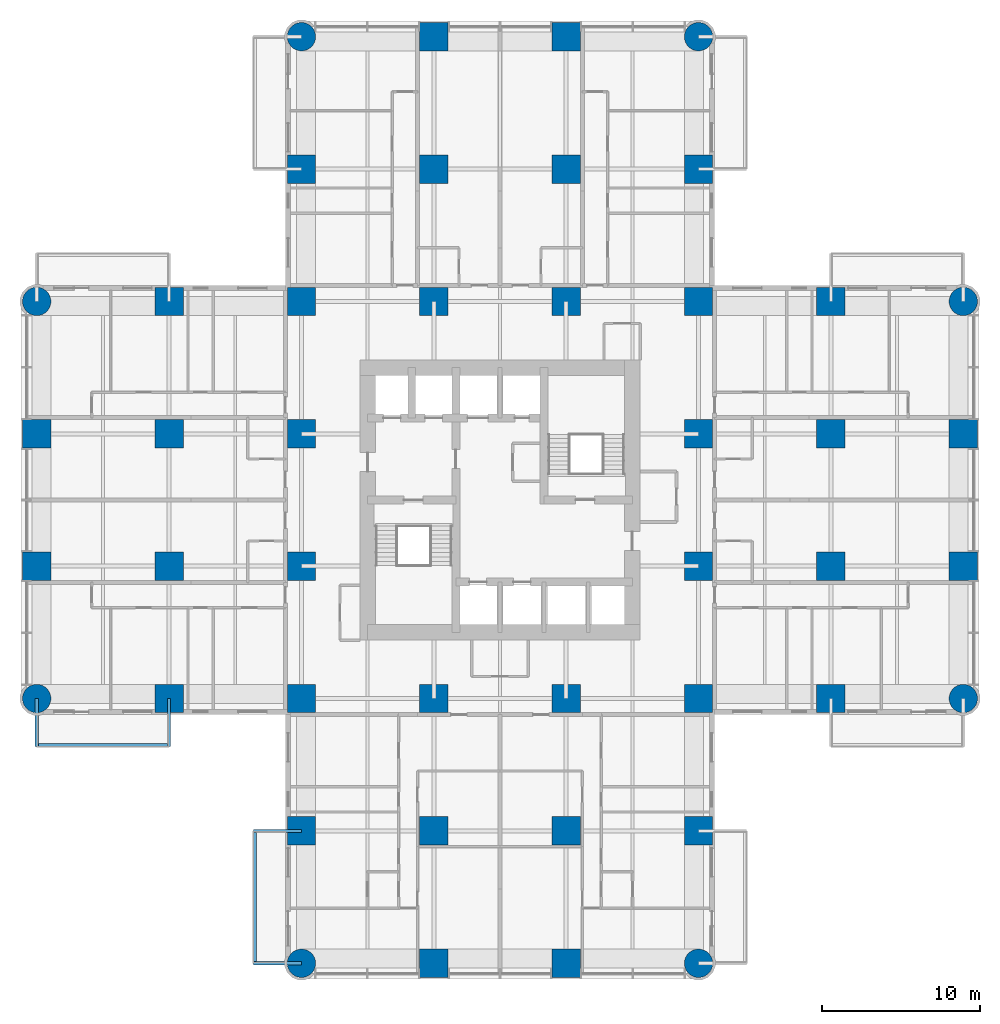
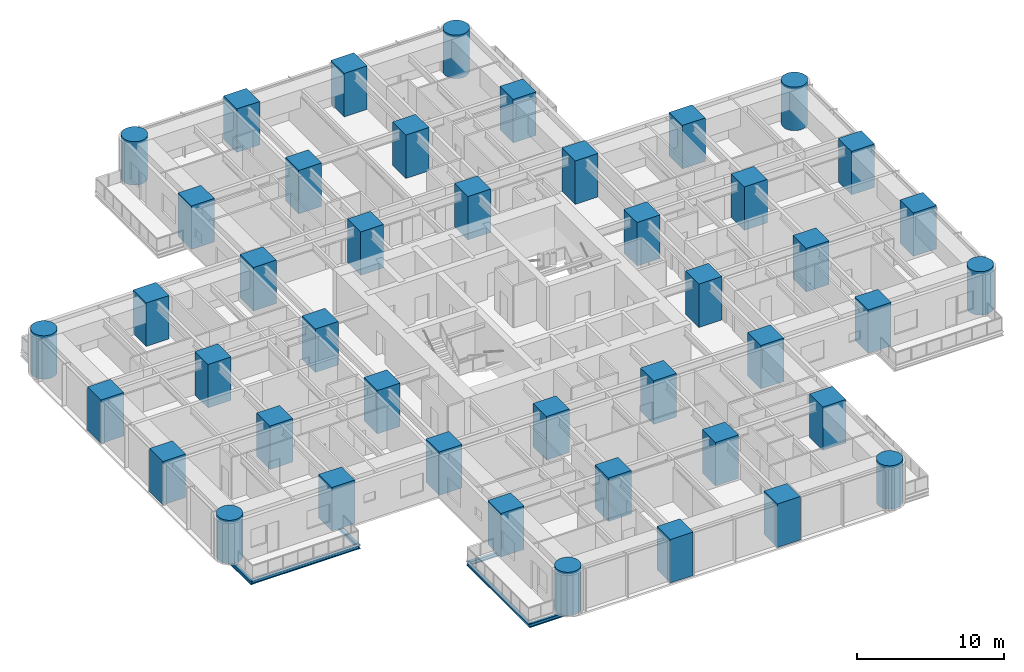
# One storey, part 1 of 17: 44 columns, 6 beams.
"""IFC4 building model written with IfcOpenShell, lengths in metres."""

from ifc_helpers import new_model, si_unit, direction, frame, origin, origin_2d, place, context, subcontext, project, spatial, rectangle, circle, i_section, extrude, material, material_profile, profile_set, type_object, element, save


model = new_model("IFC4")

# Units and contexts
model_context = context("Model", 3, precision=1e-05, world=origin(), true_north=direction((0.0, 1.0)))
body_context = subcontext(model_context, "Body", "Model", "MODEL_VIEW")
ifc_project = project(units=[si_unit("LENGTHUNIT", "METRE"), si_unit("AREAUNIT", "SQUARE_METRE"), si_unit("VOLUMEUNIT", "CUBIC_METRE"), si_unit("PLANEANGLEUNIT", "RADIAN"), si_unit("MASSUNIT", "GRAM", prefix="KILO")], contexts=[model_context])

# Site, building, storey
site_placement = place(None, origin())
site = spatial("IfcSite", under=ifc_project, at=site_placement, CompositionType="ELEMENT")
building_placement = place(site_placement, origin())
building = spatial("IfcBuilding", under=site, at=building_placement, Name="Torre Alcanfor", CompositionType="ELEMENT")
storey_placement = place(building_placement, frame((0.0, 0.0, 88.5)))
storey = spatial("IfcBuildingStorey", under=building, at=storey_placement, Name="L22", CompositionType="ELEMENT", Elevation=88.5)

# Columns
ifc_material_1 = material(Name="Concrete f'c 70 MPa", Category="concrete")
ifc_material_profile_1 = material_profile(ifc_material_1, rectangle(XDim=1.800048828125, YDim=1.800048828125, at=origin_2d()), Name="1800x1800")
ifc_profile_set_1 = profile_set([ifc_material_profile_1], Name="Concrete f'c 70 MPa")
column_type_1 = type_object("IfcColumnType", Name="RC column 1800x1800 f'c70", PredefinedType="COLUMN", material=ifc_profile_set_1)
for number, where, z_axis, x_axis, name in (
    (1, (0.0, 25.199951171875, 0.0), (0.0, 0.0, 1.0), (1.0, 0.0, 0.0), "Column 1/F L22"),
    (2, (0.0, 33.60009765625, 0.0), (0.0, 0.0, 1.0), (1.0, 0.0, 0.0), "Column 1/G L22"),
    (3, (8.39990234375, 16.800048828125, 0.0), (0.0, 0.0, 1.0), (1.0, 0.0, 0.0), "Column 2/E L22"),
    (4, (8.39990234375, 25.199951171875, 0.0), (0.0, 0.0, 1.0), (1.0, 0.0, 0.0), "Column 2/F L22"),
    (5, (8.39990234375, 33.60009765625, 0.0), (0.0, 0.0, 1.0), (1.0, 0.0, 0.0), "Column 2/G L22"),
    (6, (8.39990234375, 42.0, 0.0), (0.0, 0.0, 1.0), (1.0, 0.0, 0.0), "Column 2/H L22"),
    (7, (16.800048828125, 8.39990234375, 0.0), (0.0, 0.0, 1.0), (1.0, 0.0, 0.0), "Column 3/D L22"),
    (8, (16.800048828125, 16.800048828125, 0.0), (0.0, 0.0, 1.0), (1.0, 0.0, 0.0), "Column 3/E L22"),
    (9, (16.800048828125, 25.199951171875, 0.0), (0.0, 0.0, 1.0), (1.0, 0.0, 0.0), "Column 3/F L22"),
    (10, (16.800048828125, 33.60009765625, 0.0), (0.0, 0.0, 1.0), (1.0, 0.0, 0.0), "Column 3/G L22"),
    (11, (16.800048828125, 42.0, 0.0), (0.0, 0.0, 1.0), (1.0, 0.0, 0.0), "Column 3/H L22"),
    (12, (16.800048828125, 50.39990234375, 0.0), (0.0, 0.0, 1.0), (1.0, 0.0, 0.0), "Column 3/J L22"),
    (13, (25.199951171875, 0.0, 0.0), (0.0, 0.0, 1.0), (1.0, 0.0, 0.0), "Column 4/C L22"),
    (14, (25.199951171875, 8.39990234375, 0.0), (0.0, 0.0, 1.0), (1.0, 0.0, 0.0), "Column 4/D L22"),
    (15, (25.199951171875, 16.800048828125, 0.0), (0.0, 0.0, 1.0), (1.0, 0.0, 0.0), "Column 4/E L22"),
    (16, (25.199951171875, 42.0, 0.0), (0.0, 0.0, 1.0), (1.0, 0.0, 0.0), "Column 4/H L22"),
    (17, (25.199951171875, 50.39990234375, 0.0), (0.0, 0.0, 1.0), (1.0, 0.0, 0.0), "Column 4/J L22"),
    (18, (25.199951171875, 58.800048828125, 0.0), (0.0, 0.0, 1.0), (1.0, 0.0, 0.0), "Column 4/K L22"),
    (19, (33.60009765625, 0.0, 0.0), (0.0, 0.0, 1.0), (1.0, 0.0, 0.0), "Column 5/C L22"),
    (20, (33.60009765625, 8.39990234375, 0.0), (0.0, 0.0, 1.0), (1.0, 0.0, 0.0), "Column 5/D L22"),
    (21, (33.60009765625, 16.800048828125, 0.0), (0.0, 0.0, 1.0), (1.0, 0.0, 0.0), "Column 5/E L22"),
    (22, (33.60009765625, 42.0, 0.0), (0.0, 0.0, 1.0), (1.0, 0.0, 0.0), "Column 5/H L22"),
    (23, (33.60009765625, 50.39990234375, 0.0), (0.0, 0.0, 1.0), (1.0, 0.0, 0.0), "Column 5/J L22"),
    (24, (33.60009765625, 58.800048828125, 0.0), (0.0, 0.0, 1.0), (1.0, 0.0, 0.0), "Column 5/K L22"),
    (25, (42.0, 8.39990234375, 0.0), (0.0, 0.0, 1.0), (1.0, 0.0, 0.0), "Column 6/D L22"),
    (26, (42.0, 16.800048828125, 0.0), (0.0, 0.0, 1.0), (1.0, 0.0, 0.0), "Column 6/E L22"),
    (27, (42.0, 25.199951171875, 0.0), (0.0, 0.0, 1.0), (1.0, 0.0, 0.0), "Column 6/F L22"),
    (28, (42.0, 33.60009765625, 0.0), (0.0, 0.0, 1.0), (1.0, 0.0, 0.0), "Column 6/G L22"),
    (29, (42.0, 42.0, 0.0), (0.0, 0.0, 1.0), (1.0, 0.0, 0.0), "Column 6/H L22"),
    (30, (42.0, 50.39990234375, 0.0), (0.0, 0.0, 1.0), (1.0, 0.0, 0.0), "Column 6/J L22"),
    (31, (50.39990234375, 16.800048828125, 0.0), (0.0, 0.0, 1.0), (1.0, 0.0, 0.0), "Column 7/E L22"),
    (32, (50.39990234375, 25.199951171875, 0.0), (0.0, 0.0, 1.0), (1.0, 0.0, 0.0), "Column 7/F L22"),
    (33, (50.39990234375, 33.60009765625, 0.0), (0.0, 0.0, 1.0), (1.0, 0.0, 0.0), "Column 7/G L22"),
    (34, (50.39990234375, 42.0, 0.0), (0.0, 0.0, 1.0), (1.0, 0.0, 0.0), "Column 7/H L22"),
    (35, (58.800048828125, 25.199951171875, 0.0), (0.0, 0.0, 1.0), (1.0, 0.0, 0.0), "Column 8/F L22"),
    (36, (58.800048828125, 33.60009765625, 0.0), (0.0, 0.0, 1.0), (1.0, 0.0, 0.0), "Column 8/G L22"),
):
    element("IfcColumn", number, at=place(storey_placement, frame(where, z_axis=z_axis, x_axis=x_axis)), inside=storey, type_object=column_type_1, Name=name, PredefinedType="COLUMN", context=body_context, shape_type="SweptSolid", body=[
        extrude(rectangle(XDim=1.800048828125, YDim=1.800048828125, at=origin_2d()), origin(), (0.0, 0.0, 1.0), 3.60009765625),
    ])
ifc_material_2 = material(Name="Concrete f'c 70 MPa", Category="concrete")
ifc_material_profile_2 = material_profile(ifc_material_2, circle(Radius=0.89990234375, at=origin_2d()), Name="D1800")
ifc_profile_set_2 = profile_set([ifc_material_profile_2], Name="Concrete f'c 70 MPa")
column_type_2 = type_object("IfcColumnType", Name="RC column D1800 f'c70", PredefinedType="COLUMN", material=ifc_profile_set_2)
for number, where, z_axis, x_axis, name in (
    (37, (0.0, 16.800048828125, 0.0), (0.0, 0.0, 1.0), (1.0, 0.0, 0.0), "Column 1/E L22"),
    (38, (0.0, 42.0, 0.0), (0.0, 0.0, 1.0), (1.0, 0.0, 0.0), "Column 1/H L22"),
    (39, (16.800048828125, 0.0, 0.0), (0.0, 0.0, 1.0), (1.0, 0.0, 0.0), "Column 3/C L22"),
    (40, (16.800048828125, 58.800048828125, 0.0), (0.0, 0.0, 1.0), (1.0, 0.0, 0.0), "Column 3/K L22"),
    (41, (42.0, 0.0, 0.0), (0.0, 0.0, 1.0), (1.0, 0.0, 0.0), "Column 6/C L22"),
    (42, (42.0, 58.800048828125, 0.0), (0.0, 0.0, 1.0), (1.0, 0.0, 0.0), "Column 6/K L22"),
    (43, (58.800048828125, 16.800048828125, 0.0), (0.0, 0.0, 1.0), (1.0, 0.0, 0.0), "Column 8/E L22"),
    (44, (58.800048828125, 42.0, 0.0), (0.0, 0.0, 1.0), (1.0, 0.0, 0.0), "Column 8/H L22"),
):
    element("IfcColumn", number, at=place(storey_placement, frame(where, z_axis=z_axis, x_axis=x_axis)), inside=storey, type_object=column_type_2, Name=name, PredefinedType="COLUMN", context=body_context, shape_type="SweptSolid", body=[
        extrude(circle(Radius=0.89990234375, at=origin_2d()), origin(), (0.0, 0.0, 1.0), 3.60009765625),
    ])

# Beams
ifc_material_3 = material(Name="Steel ASTM A992 Grade 50", Category="steel")
ifc_material_profile_3 = material_profile(ifc_material_3, i_section(OverallWidth=0.205322265625, OverallDepth=0.309814453125, WebThickness=0.00927734375, FlangeThickness=0.016357421875, at=origin_2d()), Name="W12x50")
ifc_profile_set_3 = profile_set([ifc_material_profile_3], Name="Steel ASTM A992 Grade 50")
beam_type_1 = type_object("IfcBeamType", Name="Balcony cantilever beam W12x50", PredefinedType="BEAM", material=ifc_profile_set_3)
for number, where, z_axis, x_axis, name in (
    (45, (16.800048828125, 8.39990234375, -0.35498046875), (-1.0, 0.0, 0.0), (0.0, -1.0, 0.0), "Balcony cantilever beam L22-S2 1"),
    (46, (16.800048828125, 0.0, -0.35498046875), (-1.0, 0.0, 0.0), (0.0, -1.0, 0.0), "Balcony cantilever beam L22-S2 2"),
    (47, (8.39990234375, 16.800048828125, -0.35498046875), (0.0, -1.0, 0.0), (1.0, 0.0, 0.0), "Balcony cantilever beam L22-W1 1"),
    (48, (0.0, 16.800048828125, -0.35498046875), (0.0, -1.0, 0.0), (1.0, 0.0, 0.0), "Balcony cantilever beam L22-W1 2"),
):
    element("IfcBeam", number, at=place(storey_placement, frame(where, z_axis=z_axis, x_axis=x_axis)), inside=storey, type_object=beam_type_1, Name=name, PredefinedType="BEAM", context=body_context, shape_type="SweptSolid", body=[
        extrude(i_section(OverallWidth=0.205322265625, OverallDepth=0.309814453125, WebThickness=0.00927734375, FlangeThickness=0.016357421875, at=origin_2d()), origin(), (0.0, 0.0, 1.0), 3.050048828125),
    ])
ifc_material_4 = material(Name="Steel ASTM A992 Grade 50", Category="steel")
ifc_material_profile_4 = material_profile(ifc_material_4, i_section(OverallWidth=0.203369140625, OverallDepth=0.30224609375, WebThickness=0.007568359375, FlangeThickness=0.01318359375, at=origin_2d()), Name="W12x40")
ifc_profile_set_4 = profile_set([ifc_material_profile_4], Name="Steel ASTM A992 Grade 50")
beam_type_2 = type_object("IfcBeamType", Name="Balcony edge trimmer W12x40", PredefinedType="BEAM", material=ifc_profile_set_4)
for number, where, z_axis, x_axis, name in (
    (49, (13.851806640625, 8.39990234375, -0.35107421875), (0.0, -1.0, 0.0), (1.0, 0.0, 0.0), "Balcony edge trimmer L22-S2"),
    (50, (8.39990234375, 13.851806640625, -0.35107421875), (-1.0, 0.0, 0.0), (0.0, -1.0, 0.0), "Balcony edge trimmer L22-W1"),
):
    element("IfcBeam", number, at=place(storey_placement, frame(where, z_axis=z_axis, x_axis=x_axis)), inside=storey, type_object=beam_type_2, Name=name, PredefinedType="BEAM", context=body_context, shape_type="SweptSolid", body=[
        extrude(i_section(OverallWidth=0.203369140625, OverallDepth=0.30224609375, WebThickness=0.007568359375, FlangeThickness=0.01318359375, at=origin_2d()), origin(), (0.0, 0.0, 1.0), 8.39990234375),
    ])

save(model, "model.ifc")
